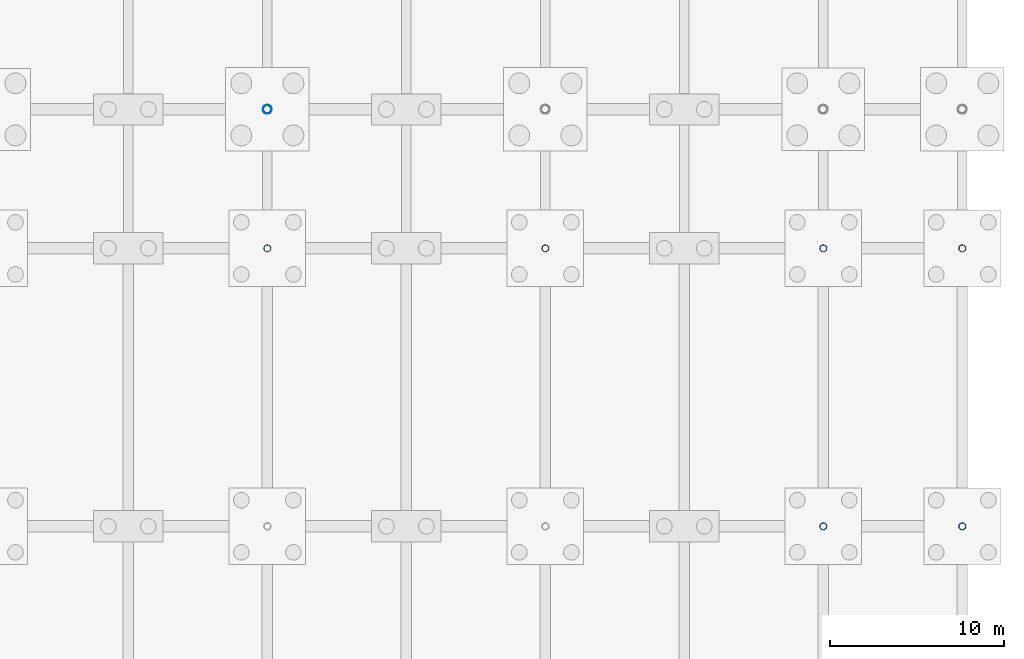
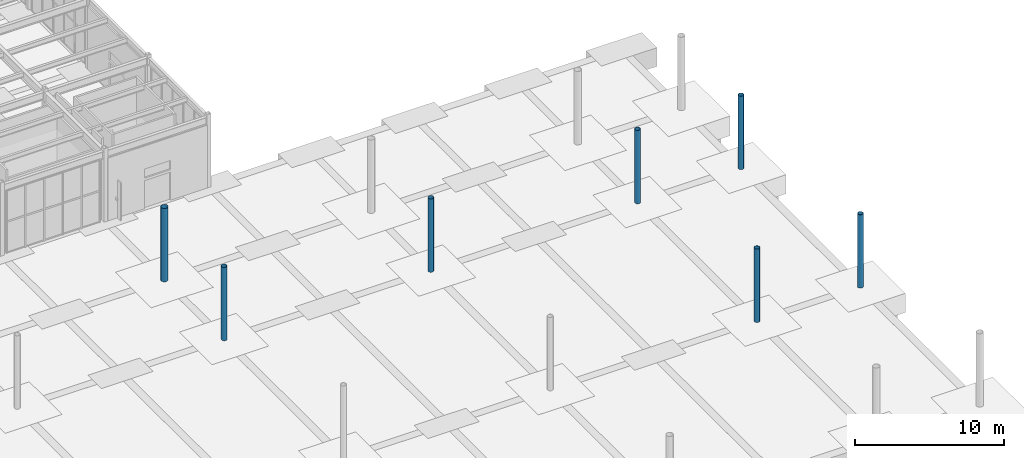
# One storey, part 22 of 82: 7 columns.
"""IFC4 building model written with IfcOpenShell, lengths in metres."""

from ifc_helpers import new_model, si_unit, direction, frame, origin, origin_2d, place, context, subcontext, project, spatial, hollow_circle, extrude, material, material_profile, profile_set, type_object, element, save


model = new_model("IFC4")

# Units and contexts
model_context = context("Model", 3, precision=1e-05, world=origin(), true_north=direction((0.0, 1.0)))
body_context = subcontext(model_context, "Body", "Model", "MODEL_VIEW")
ifc_project = project(units=[si_unit("LENGTHUNIT", "METRE"), si_unit("AREAUNIT", "SQUARE_METRE"), si_unit("VOLUMEUNIT", "CUBIC_METRE"), si_unit("PLANEANGLEUNIT", "RADIAN"), si_unit("MASSUNIT", "GRAM", prefix="KILO")], contexts=[model_context])

# Site, building, storey
site_placement = place(None, origin())
site = spatial("IfcSite", under=ifc_project, at=site_placement, CompositionType="ELEMENT")
building_placement = place(site_placement, origin())
building = spatial("IfcBuilding", under=site, at=building_placement, Name="Drelvath Fold Interchange", CompositionType="ELEMENT")
storey_placement = place(building_placement, origin())
storey = spatial("IfcBuildingStorey", under=building, at=storey_placement, Name="L00", CompositionType="ELEMENT", Elevation=0.0)

# Columns
ifc_material = material(Name="Steel ASTM A500 Grade C", Category="steel")
ifc_material_profile_1 = material_profile(ifc_material, hollow_circle(Radius=0.25390625, WallThickness=0.014892578125, at=origin_2d()), Name="HSS20.000X0.625")
ifc_profile_set_1 = profile_set([ifc_material_profile_1], Name="Steel ASTM A500 Grade C")
column_type_1 = type_object("IfcColumnType", Name="COL-CFT508", PredefinedType="COLUMN", material=ifc_profile_set_1)
column_placement = place(storey_placement, frame((134.0, 67.0, 0.0), z_axis=(0.0, 0.0, 1.0), x_axis=(1.0, 0.0, 0.0)))
element("IfcColumn", 1, at=column_placement, inside=storey, type_object=column_type_1, Name="L00 column (134,67)", PredefinedType="COLUMN", context=body_context, shape_type="SweptSolid", body=[
    extrude(hollow_circle(Radius=0.25390625, WallThickness=0.014892578125, at=origin_2d()), origin(), (0.0, 0.0, 1.0), 6.0),
])
ifc_material_profile_2 = material_profile(ifc_material, hollow_circle(Radius=0.202880859375, WallThickness=0.014892578125, at=origin_2d()), Name="HSS16.000X0.625")
ifc_profile_set_2 = profile_set([ifc_material_profile_2], Name="Steel ASTM A500 Grade C")
column_type_2 = type_object("IfcColumnType", Name="COL-CHS406", PredefinedType="COLUMN", material=ifc_profile_set_2)
for number, where, z_axis, x_axis, name in (
    (2, (134.0, 59.0, 0.0), (0.0, 0.0, 1.0), (1.0, 0.0, 0.0), "L00 column (134,59)"),
    (3, (150.0, 59.0, 0.0), (0.0, 0.0, 1.0), (1.0, 0.0, 0.0), "L00 column (150,59)"),
    (4, (166.0, 43.0, 0.0), (0.0, 0.0, 1.0), (1.0, 0.0, 0.0), "L00 column (166,43)"),
    (5, (166.0, 59.0, 0.0), (0.0, 0.0, 1.0), (1.0, 0.0, 0.0), "L00 column (166,59)"),
    (6, (174.0, 43.0, 0.0), (0.0, 0.0, 1.0), (1.0, 0.0, 0.0), "L00 column (174,43)"),
    (7, (174.0, 59.0, 0.0), (0.0, 0.0, 1.0), (1.0, 0.0, 0.0), "L00 column (174,59)"),
):
    element("IfcColumn", number, at=place(storey_placement, frame(where, z_axis=z_axis, x_axis=x_axis)), inside=storey, type_object=column_type_2, Name=name, PredefinedType="COLUMN", context=body_context, shape_type="SweptSolid", body=[
        extrude(hollow_circle(Radius=0.202880859375, WallThickness=0.014892578125, at=origin_2d()), origin(), (0.0, 0.0, 1.0), 6.0),
    ])

save(model, "model.ifc")
